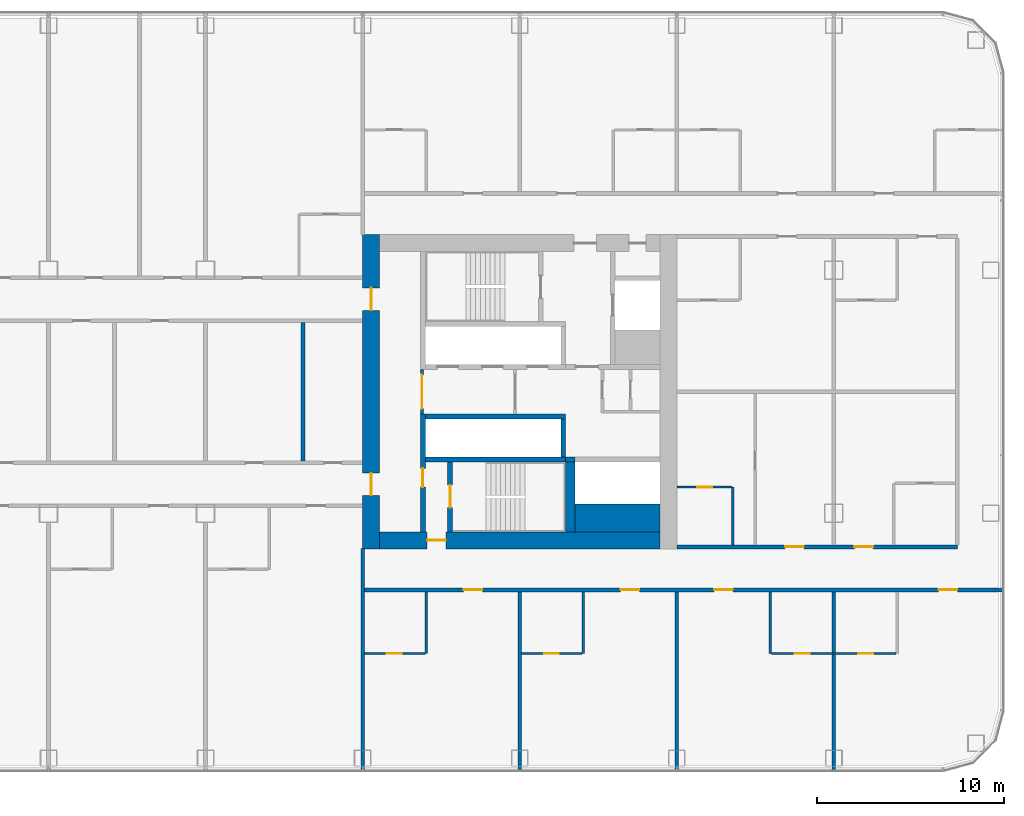
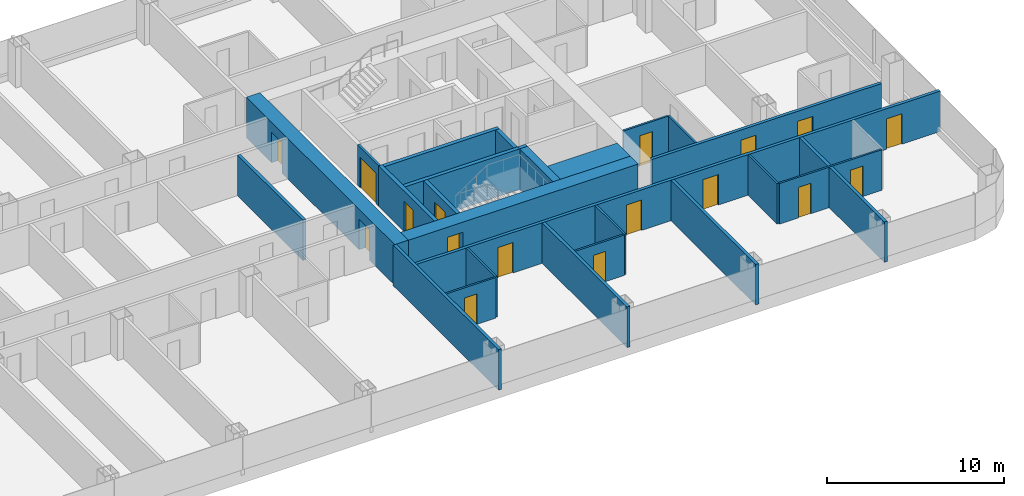
# One storey, part 17 of 28: 26 walls, 17 doors, 17 openings.
"""IFC4 building model written with IfcOpenShell, lengths in metres."""

from ifc_helpers import new_model, si_unit, direction, frame, frame_2d, origin, place, context, subcontext, project, spatial, rectangle, extrude, material, layer, layer_set, type_object, element, fill, save


model = new_model("IFC4")

# Units and contexts
model_context = context("Model", 3, precision=1e-05, world=origin(), true_north=direction((0.0, 1.0)))
body_context = subcontext(model_context, "Body", "Model", "MODEL_VIEW")
ifc_project = project(units=[si_unit("LENGTHUNIT", "METRE"), si_unit("AREAUNIT", "SQUARE_METRE"), si_unit("VOLUMEUNIT", "CUBIC_METRE"), si_unit("PLANEANGLEUNIT", "RADIAN"), si_unit("MASSUNIT", "GRAM", prefix="KILO")], contexts=[model_context])

# Site, building, storey
site_placement = place(None, origin())
site = spatial("IfcSite", under=ifc_project, at=site_placement, CompositionType="ELEMENT")
building_placement = place(site_placement, origin())
building = spatial("IfcBuilding", under=site, at=building_placement, Name="Hakoniwa Tower and Hamabe Station Hall", CompositionType="ELEMENT")
storey_placement = place(building_placement, frame((0.0, 0.0, 35.800048828125)))
storey = spatial("IfcBuildingStorey", under=building, at=storey_placement, Name="L09", CompositionType="ELEMENT", Elevation=35.800048828125)

# Wall, opening, door
ifc_material_1 = material(Name="Gypsum board partition", Category="gypsum")
ifc_layer_1 = layer(ifc_material_1, 0.125)
ifc_layer_set_1 = layer_set([ifc_layer_1], Name="Bathroom Partition 125")
wall_type_1 = type_object("IfcWallType", Name="Bathroom Partition 125", PredefinedType="PARTITIONING", material=ifc_layer_set_1)
wall_1_placement = place(storey_placement, frame((16.89990234375, -14.0, 0.0), z_axis=(0.0, 0.0, 1.0), x_axis=(1.0, 0.0, 0.0)))
wall_1 = element("IfcWall", 1, at=wall_1_placement, inside=storey, type_object=wall_type_1, Name="GW-L09-004", PredefinedType="PARTITIONING", context=body_context, shape_type="SweptSolid", body=[
    extrude(rectangle(XDim=3.237548828125, YDim=0.125, at=frame_2d((1.61865234375, 0.0))), origin(), (0.0, 0.0, 1.0), 2.800048828125),
])
opening_1_placement = place(wall_1_placement, frame((1.199951171875, 0.0, 0.0)))
opening_1 = element("IfcOpeningElement", 2, at=opening_1_placement, cuts=wall_1, Name="Opening GD-G1A1-04", PredefinedType="OPENING", context=body_context, shape_type="SweptSolid", body=[
    extrude(rectangle(XDim=0.800048828125, YDim=2.10009765625, at=frame_2d((0.39990234375, 1.050048828125))), frame((0.0, 0.072509765625, 0.0), z_axis=(0.0, -1.0, 0.0), x_axis=(1.0, 0.0, 0.0)), (0.0, 0.0, 1.0), 0.14501953125),
])
ifc_material_2 = material(Name="Timber door leaf", Category="wood")
door_type_1 = type_object("IfcDoorType", Name="Bathroom Door 800", OperationType="SINGLE_SWING_LEFT", PredefinedType="DOOR", material=ifc_material_2)
door_1_placement = place(opening_1_placement, origin())
door_1 = element("IfcDoor", 3, at=door_1_placement, inside=storey, type_object=door_type_1, Name="Door GD-G1A1-04", OperationType="SINGLE_SWING_RIGHT", OverallHeight=2.10009765625, OverallWidth=0.800048828125, PredefinedType="DOOR", context=body_context, shape_type="SweptSolid", body=[
    extrude(rectangle(XDim=0.800048828125, YDim=2.10009765625, at=frame_2d((0.39990234375, 1.050048828125))), frame((0.0, 0.02490234375, 0.0), z_axis=(0.0, -1.0, 0.0), x_axis=(1.0, 0.0, 0.0)), (0.0, 0.0, 1.0), 0.050048828125),
])
fill(opening_1, door_1)

wall_2_placement = place(storey_placement, frame((25.300048828125, -14.0, 0.0), z_axis=(0.0, 0.0, 1.0), x_axis=(1.0, 0.0, 0.0)))
wall_2 = element("IfcWall", 4, at=wall_2_placement, inside=storey, type_object=wall_type_1, Name="GW-L09-005", PredefinedType="PARTITIONING", context=body_context, shape_type="SweptSolid", body=[
    extrude(rectangle(XDim=3.237548828125, YDim=0.125, at=frame_2d((1.61865234375, 0.0))), origin(), (0.0, 0.0, 1.0), 2.800048828125),
])
opening_2_placement = place(wall_2_placement, frame((1.199951171875, 0.0, 0.0)))
opening_2 = element("IfcOpeningElement", 5, at=opening_2_placement, cuts=wall_2, Name="Opening GD-G1A1-05", PredefinedType="OPENING", context=body_context, shape_type="SweptSolid", body=[
    extrude(rectangle(XDim=0.800048828125, YDim=2.10009765625, at=frame_2d((0.39990234375, 1.050048828125))), frame((0.0, 0.072509765625, 0.0), z_axis=(0.0, -1.0, 0.0), x_axis=(1.0, 0.0, 0.0)), (0.0, 0.0, 1.0), 0.14501953125),
])
door_2_placement = place(opening_2_placement, origin())
door_2 = element("IfcDoor", 6, at=door_2_placement, inside=storey, type_object=door_type_1, Name="Door GD-G1A1-05", OperationType="SINGLE_SWING_LEFT", OverallHeight=2.10009765625, OverallWidth=0.800048828125, PredefinedType="DOOR", context=body_context, shape_type="SweptSolid", body=[
    extrude(rectangle(XDim=0.800048828125, YDim=2.10009765625, at=frame_2d((0.39990234375, 1.050048828125))), frame((0.0, 0.02490234375, 0.0), z_axis=(0.0, -1.0, 0.0), x_axis=(1.0, 0.0, 0.0)), (0.0, 0.0, 1.0), 0.050048828125),
])
fill(opening_2, door_2)

# Wall, openings, doors
wall_3_placement = place(storey_placement, frame((38.66259765625, -14.0, 0.0), z_axis=(0.0, 0.0, 1.0), x_axis=(1.0, 0.0, 0.0)))
wall_3 = element("IfcWall", 7, at=wall_3_placement, inside=storey, type_object=wall_type_1, Name="GW-L09-006", PredefinedType="PARTITIONING", context=body_context, shape_type="SweptSolid", body=[
    extrude(rectangle(XDim=6.6748046875, YDim=0.125, at=frame_2d((3.33740234375, 0.0))), origin(), (0.0, 0.0, 1.0), 2.800048828125),
])
opening_3_placement = place(wall_3_placement, frame((1.237548828125, 0.0, 0.0)))
opening_3 = element("IfcOpeningElement", 8, at=opening_3_placement, cuts=wall_3, Name="Opening GD-G1A1-06", PredefinedType="OPENING", context=body_context, shape_type="SweptSolid", body=[
    extrude(rectangle(XDim=0.800048828125, YDim=2.10009765625, at=frame_2d((0.39990234375, 1.050048828125))), frame((0.0, 0.072509765625, 0.0), z_axis=(0.0, -1.0, 0.0), x_axis=(1.0, 0.0, 0.0)), (0.0, 0.0, 1.0), 0.14501953125),
])
opening_4_placement = place(wall_3_placement, frame((4.637451171875, 0.0, 0.0)))
opening_4 = element("IfcOpeningElement", 9, at=opening_4_placement, cuts=wall_3, Name="Opening GD-G1A1-07", PredefinedType="OPENING", context=body_context, shape_type="SweptSolid", body=[
    extrude(rectangle(XDim=0.800048828125, YDim=2.10009765625, at=frame_2d((0.39990234375, 1.050048828125))), frame((0.0, 0.072509765625, 0.0), z_axis=(0.0, -1.0, 0.0), x_axis=(1.0, 0.0, 0.0)), (0.0, 0.0, 1.0), 0.14501953125),
])
door_3_placement = place(opening_3_placement, origin())
door_3 = element("IfcDoor", 10, at=door_3_placement, inside=storey, type_object=door_type_1, Name="Door GD-G1A1-06", OperationType="SINGLE_SWING_RIGHT", OverallHeight=2.10009765625, OverallWidth=0.800048828125, PredefinedType="DOOR", context=body_context, shape_type="SweptSolid", body=[
    extrude(rectangle(XDim=0.800048828125, YDim=2.10009765625, at=frame_2d((0.39990234375, 1.050048828125))), frame((0.0, 0.02490234375, 0.0), z_axis=(0.0, -1.0, 0.0), x_axis=(1.0, 0.0, 0.0)), (0.0, 0.0, 1.0), 0.050048828125),
])
fill(opening_3, door_3)
door_4_placement = place(opening_4_placement, origin())
door_4 = element("IfcDoor", 11, at=door_4_placement, inside=storey, type_object=door_type_1, Name="Door GD-G1A1-07", OperationType="SINGLE_SWING_LEFT", OverallHeight=2.10009765625, OverallWidth=0.800048828125, PredefinedType="DOOR", context=body_context, shape_type="SweptSolid", body=[
    extrude(rectangle(XDim=0.800048828125, YDim=2.10009765625, at=frame_2d((0.39990234375, 1.050048828125))), frame((0.0, 0.02490234375, 0.0), z_axis=(0.0, -1.0, 0.0), x_axis=(1.0, 0.0, 0.0)), (0.0, 0.0, 1.0), 0.050048828125),
])
fill(opening_4, door_4)

# Wall, opening, door
wall_4_placement = place(storey_placement, frame((33.60009765625, -5.10009765625, 0.0), z_axis=(0.0, 0.0, 1.0), x_axis=(1.0, 0.0, 0.0)))
wall_4 = element("IfcWall", 12, at=wall_4_placement, inside=storey, type_object=wall_type_1, Name="GW-L09-016", PredefinedType="PARTITIONING", context=body_context, shape_type="SweptSolid", body=[
    extrude(rectangle(XDim=2.9375, YDim=0.125, at=frame_2d((1.46875, 0.0))), origin(), (0.0, 0.0, 1.0), 2.800048828125),
])
opening_5_placement = place(wall_4_placement, frame((1.10009765625, 0.0, 0.0)))
opening_5 = element("IfcOpeningElement", 13, at=opening_5_placement, cuts=wall_4, Name="Opening GD-G1A1-29", PredefinedType="OPENING", context=body_context, shape_type="SweptSolid", body=[
    extrude(rectangle(XDim=0.800048828125, YDim=2.10009765625, at=frame_2d((0.39990234375, 1.050048828125))), frame((0.0, 0.072509765625, 0.0), z_axis=(0.0, -1.0, 0.0), x_axis=(1.0, 0.0, 0.0)), (0.0, 0.0, 1.0), 0.14501953125),
])
door_5_placement = place(opening_5_placement, origin())
door_5 = element("IfcDoor", 14, at=door_5_placement, inside=storey, type_object=door_type_1, Name="Door GD-G1A1-29", OperationType="SINGLE_SWING_RIGHT", OverallHeight=2.10009765625, OverallWidth=0.800048828125, PredefinedType="DOOR", context=body_context, shape_type="SweptSolid", body=[
    extrude(rectangle(XDim=0.800048828125, YDim=2.10009765625, at=frame_2d((0.39990234375, 1.050048828125))), frame((0.0, 0.02490234375, 0.0), z_axis=(0.0, -1.0, 0.0), x_axis=(1.0, 0.0, 0.0)), (0.0, 0.0, 1.0), 0.050048828125),
])
fill(opening_5, door_5)

# Walls
for number, where, z_axis, x_axis, name in (
    (15, (20.199951171875, -14.0, 0.0), (0.0, 0.0, 1.0), (0.0, 1.0, 0.0), "GW-L09-086"),
    (16, (28.60009765625, -14.0, 0.0), (0.0, 0.0, 1.0), (0.0, 1.0, 0.0), "GW-L09-090"),
):
    element("IfcWall", number, at=place(storey_placement, frame(where, z_axis=z_axis, x_axis=x_axis)), inside=storey, type_object=wall_type_1, Name=name, PredefinedType="PARTITIONING", context=body_context, shape_type="SweptSolid", body=[
        extrude(rectangle(XDim=3.300048828125, YDim=0.125, at=frame_2d((1.64990234375, 0.0))), origin(), (0.0, 0.0, 1.0), 2.800048828125),
    ])
wall_5_placement = place(storey_placement, frame((36.60009765625, -8.199951171875, 0.0), z_axis=(0.0, 0.0, 1.0), x_axis=(0.0, 1.0, 0.0)))
element("IfcWall", 17, at=wall_5_placement, inside=storey, type_object=wall_type_1, Name="GW-L09-094", PredefinedType="PARTITIONING", context=body_context, shape_type="SweptSolid", body=[
    extrude(rectangle(XDim=3.099853515625, YDim=0.125, at=frame_2d((1.5498046875, 0.0))), origin(), (0.0, 0.0, 1.0), 2.800048828125),
])
wall_6_placement = place(storey_placement, frame((38.60009765625, -14.0, 0.0), z_axis=(0.0, 0.0, 1.0), x_axis=(0.0, 1.0, 0.0)))
element("IfcWall", 18, at=wall_6_placement, inside=storey, type_object=wall_type_1, Name="GW-L09-098", PredefinedType="PARTITIONING", context=body_context, shape_type="SweptSolid", body=[
    extrude(rectangle(XDim=3.300048828125, YDim=0.125, at=frame_2d((1.64990234375, 0.0))), origin(), (0.0, 0.0, 1.0), 2.800048828125),
])

# Wall, opening, door
ifc_material_3 = material(Name="Gypsum board partition")
ifc_layer_2 = layer(ifc_material_3, 0.14990234375)
ifc_layer_set_2 = layer_set([ifc_layer_2], Name="CORE PARTITION 150 EI 60")
wall_type_2 = type_object("IfcWallType", Name="CORE PARTITION 150 EI 60", PredefinedType="PARTITIONING", material=ifc_layer_set_2)
wall_7_placement = place(storey_placement, frame((19.97509765625, -1.199951171875, 0.0), z_axis=(0.0, 0.0, 1.0), x_axis=(0.0, 1.0, 0.0)))
wall_7 = element("IfcWall", 19, at=wall_7_placement, inside=storey, type_object=wall_type_2, Name="Core partition PL0 east", PredefinedType="PARTITIONING", context=body_context, shape_type="SweptSolid", body=[
    extrude(rectangle(XDim=2.39990234375, YDim=0.14990234375, at=frame_2d((1.199951171875, 0.0))), origin(), (0.0, 0.0, 1.0), 2.800048828125),
])
opening_6_placement = place(wall_7_placement, frame((0.300048828125, 0.0, 0.0)))
opening_6 = element("IfcOpeningElement", 20, at=opening_6_placement, cuts=wall_7, Name="Opening CD-E-LP0-18", PredefinedType="OPENING", context=body_context, shape_type="SweptSolid", body=[
    extrude(rectangle(XDim=1.800048828125, YDim=2.10009765625, at=frame_2d((0.89990234375, 1.050048828125))), frame((0.0, 0.0849609375, 0.0), z_axis=(0.0, -1.0, 0.0), x_axis=(1.0, 0.0, 0.0)), (0.0, 0.0, 1.0), 0.169921875),
])
ifc_material_4 = material(Name="Steel fire door", Category="steel")
door_type_2 = type_object("IfcDoorType", Name="CORE DOOR 1800 FD60", OperationType="DOUBLE_DOOR_SINGLE_SWING", PredefinedType="DOOR", material=ifc_material_4)
door_6_placement = place(opening_6_placement, origin())
door_6 = element("IfcDoor", 21, at=door_6_placement, inside=storey, type_object=door_type_2, Name="Lift lobby partition door", OperationType="DOUBLE_DOOR_SINGLE_SWING", OverallHeight=2.10009765625, OverallWidth=1.800048828125, PredefinedType="DOOR", context=body_context, shape_type="SweptSolid", body=[
    extrude(rectangle(XDim=1.800048828125, YDim=2.10009765625, at=frame_2d((0.89990234375, 1.050048828125))), frame((0.0, 0.02490234375, 0.0), z_axis=(0.0, -1.0, 0.0), x_axis=(1.0, 0.0, 0.0)), (0.0, 0.0, 1.0), 0.050048828125),
])
fill(opening_6, door_6)

# Wall, openings, doors
ifc_material_5 = material(Name="Concrete C80", Category="concrete")
ifc_layer_3 = layer(ifc_material_5, 0.89990234375)
ifc_layer_set_3 = layer_set([ifc_layer_3], Name="CORE WALL 900 C80")
wall_type_3 = type_object("IfcWallType", Name="CORE WALL 900 C80", PredefinedType="SHEAR", material=ifc_layer_set_3)
wall_8_placement = place(storey_placement, frame((17.25, -8.39990234375, 0.0), z_axis=(0.0, 0.0, 1.0), x_axis=(0.0, 1.0, 0.0)))
wall_8 = element("IfcWall", 22, at=wall_8_placement, inside=storey, type_object=wall_type_3, Name="Core wall INNER east", PredefinedType="SHEAR", context=body_context, shape_type="SweptSolid", body=[
    extrude(rectangle(XDim=16.7998046875, YDim=0.89990234375, at=frame_2d((8.39990234375, 0.0))), origin(), (0.0, 0.0, 1.0), 2.800048828125),
])
opening_7_placement = place(wall_8_placement, frame((12.75, 0.0, 0.0)))
opening_7 = element("IfcOpeningElement", 23, at=opening_7_placement, cuts=wall_8, Name="Opening CD-E-IN1-12", PredefinedType="OPENING", context=body_context, shape_type="SweptSolid", body=[
    extrude(rectangle(XDim=1.199951171875, YDim=2.10009765625, at=frame_2d((0.60009765625, 1.050048828125))), frame((0.0, 0.4599609375, 0.0), z_axis=(0.0, -1.0, 0.0), x_axis=(1.0, 0.0, 0.0)), (0.0, 0.0, 1.0), 0.919921875),
])
opening_8_placement = place(wall_8_placement, frame((2.85009765625, 0.0, 0.0)))
opening_8 = element("IfcOpeningElement", 24, at=opening_8_placement, cuts=wall_8, Name="Opening CD-E-IN2-12", PredefinedType="OPENING", context=body_context, shape_type="SweptSolid", body=[
    extrude(rectangle(XDim=1.199951171875, YDim=2.10009765625, at=frame_2d((0.60009765625, 1.050048828125))), frame((0.0, 0.4599609375, 0.0), z_axis=(0.0, -1.0, 0.0), x_axis=(1.0, 0.0, 0.0)), (0.0, 0.0, 1.0), 0.919921875),
])
ifc_material_6 = material(Name="Steel fire door", Category="steel")
door_type_3 = type_object("IfcDoorType", Name="CORE DOOR 1200 FD60", OperationType="DOUBLE_DOOR_SINGLE_SWING", PredefinedType="DOOR", material=ifc_material_6)
door_7_placement = place(opening_7_placement, origin())
door_7 = element("IfcDoor", 25, at=door_7_placement, inside=storey, type_object=door_type_3, Name="Lift lobby door", OperationType="DOUBLE_DOOR_SINGLE_SWING", OverallHeight=2.10009765625, OverallWidth=1.199951171875, PredefinedType="DOOR", context=body_context, shape_type="SweptSolid", body=[
    extrude(rectangle(XDim=1.199951171875, YDim=2.10009765625, at=frame_2d((0.60009765625, 1.050048828125))), frame((0.0, 0.02490234375, 0.0), z_axis=(0.0, -1.0, 0.0), x_axis=(1.0, 0.0, 0.0)), (0.0, 0.0, 1.0), 0.050048828125),
])
fill(opening_7, door_7)
door_8_placement = place(opening_8_placement, origin())
door_8 = element("IfcDoor", 26, at=door_8_placement, inside=storey, type_object=door_type_3, Name="Lift lobby door", OperationType="DOUBLE_DOOR_SINGLE_SWING", OverallHeight=2.10009765625, OverallWidth=1.199951171875, PredefinedType="DOOR", context=body_context, shape_type="SweptSolid", body=[
    extrude(rectangle(XDim=1.199951171875, YDim=2.10009765625, at=frame_2d((0.60009765625, 1.050048828125))), frame((0.0, 0.02490234375, 0.0), z_axis=(0.0, -1.0, 0.0), x_axis=(1.0, 0.0, 0.0)), (0.0, 0.0, 1.0), 0.050048828125),
])
fill(opening_8, door_8)

# Wall, opening, door
wall_9_placement = place(storey_placement, frame((17.699951171875, -7.949951171875, 0.0), z_axis=(0.0, 0.0, 1.0), x_axis=(1.0, 0.0, 0.0)))
wall_9 = element("IfcWall", 27, at=wall_9_placement, inside=storey, type_object=wall_type_3, Name="Core wall SOUTH east", PredefinedType="SHEAR", context=body_context, shape_type="SweptSolid", body=[
    extrude(rectangle(XDim=15.0, YDim=0.89990234375, at=frame_2d((7.5, 0.0))), origin(), (0.0, 0.0, 1.0), 2.800048828125),
])
opening_9_placement = place(wall_9_placement, frame((2.550048828125, 0.0, 0.0)))
opening_9 = element("IfcOpeningElement", 28, at=opening_9_placement, cuts=wall_9, Name="Opening CD-E-FS3-10", PredefinedType="OPENING", context=body_context, shape_type="SweptSolid", body=[
    extrude(rectangle(XDim=1.0, YDim=2.10009765625, at=frame_2d((0.5, 1.050048828125))), frame((0.0, 0.4599609375, 0.0), z_axis=(0.0, -1.0, 0.0), x_axis=(1.0, 0.0, 0.0)), (0.0, 0.0, 1.0), 0.919921875),
])
ifc_material_7 = material(Name="Steel fire door", Category="steel")
door_type_4 = type_object("IfcDoorType", Name="CORE DOOR 1000 FD60", OperationType="NOTDEFINED", PredefinedType="DOOR", material=ifc_material_7)
door_9_placement = place(opening_9_placement, origin())
door_9 = element("IfcDoor", 29, at=door_9_placement, inside=storey, type_object=door_type_4, Name="Stair vestibule door", OperationType="SINGLE_SWING_RIGHT", OverallHeight=2.10009765625, OverallWidth=1.0, PredefinedType="DOOR", context=body_context, shape_type="SweptSolid", body=[
    extrude(rectangle(XDim=1.0, YDim=2.10009765625, at=frame_2d((0.5, 1.050048828125))), frame((0.0, 0.02490234375, 0.0), z_axis=(0.0, -1.0, 0.0), x_axis=(1.0, 0.0, 0.0)), (0.0, 0.0, 1.0), 0.050048828125),
])
fill(opening_9, door_9)

# Wall
ifc_material_8 = material(Name="Concrete C80", Category="concrete")
ifc_layer_4 = layer(ifc_material_8, 1.5)
ifc_layer_set_4 = layer_set([ifc_layer_4], Name="CORE WEB WALL 1500 C80")
wall_type_4 = type_object("IfcWallType", Name="CORE WEB WALL 1500 C80", PredefinedType="SHEAR", material=ifc_layer_set_4)
wall_10_placement = place(storey_placement, frame((28.14990234375, -6.75, 0.0), z_axis=(0.0, 0.0, 1.0), x_axis=(1.0, 0.0, 0.0)))
element("IfcWall", 30, at=wall_10_placement, inside=storey, type_object=wall_type_4, Name="Core wall SER east", PredefinedType="SHEAR", context=body_context, shape_type="SweptSolid", body=[
    extrude(rectangle(XDim=4.550048828125, YDim=1.5, at=frame_2d((2.27490234375, 0.0))), origin(), (0.0, 0.0, 1.0), 2.800048828125),
])

# Wall, opening, door
ifc_material_9 = material(Name="Concrete C80", Category="concrete")
ifc_layer_5 = layer(ifc_material_9, 0.25)
ifc_layer_set_5 = layer_set([ifc_layer_5], Name="CORE WEB WALL 250 C80")
wall_type_5 = type_object("IfcWallType", Name="CORE WEB WALL 250 C80", PredefinedType="SHEAR", material=ifc_layer_set_5)
wall_11_placement = place(storey_placement, frame((20.02490234375, -7.5, 0.0), z_axis=(0.0, 0.0, 1.0), x_axis=(0.0, 1.0, 0.0)))
wall_11 = element("IfcWall", 31, at=wall_11_placement, inside=storey, type_object=wall_type_5, Name="Core wall W1S east", PredefinedType="SHEAR", context=body_context, shape_type="SweptSolid", body=[
    extrude(rectangle(XDim=6.300048828125, YDim=0.25, at=frame_2d((3.14990234375, 0.0))), origin(), (0.0, 0.0, 1.0), 2.800048828125),
])
opening_10_placement = place(wall_11_placement, frame((2.39990234375, 0.0, 0.0)))
opening_10 = element("IfcOpeningElement", 32, at=opening_10_placement, cuts=wall_11, Name="Opening CD-E-VS-10", PredefinedType="OPENING", context=body_context, shape_type="SweptSolid", body=[
    extrude(rectangle(XDim=1.0, YDim=2.10009765625, at=frame_2d((0.5, 1.050048828125))), frame((0.0, 0.135009765625, 0.0), z_axis=(0.0, -1.0, 0.0), x_axis=(1.0, 0.0, 0.0)), (0.0, 0.0, 1.0), 0.27001953125),
])
door_10_placement = place(opening_10_placement, origin())
door_10 = element("IfcDoor", 33, at=door_10_placement, inside=storey, type_object=door_type_4, Name="Stair vestibule door", OperationType="SINGLE_SWING_RIGHT", OverallHeight=2.10009765625, OverallWidth=1.0, PredefinedType="DOOR", context=body_context, shape_type="SweptSolid", body=[
    extrude(rectangle(XDim=1.0, YDim=2.10009765625, at=frame_2d((0.5, 1.050048828125))), frame((0.0, 0.02490234375, 0.0), z_axis=(0.0, -1.0, 0.0), x_axis=(1.0, 0.0, 0.0)), (0.0, 0.0, 1.0), 0.050048828125),
])
fill(opening_10, door_10)

# Walls
wall_12_placement = place(storey_placement, frame((20.14990234375, -1.324951171875, 0.0), z_axis=(0.0, 0.0, 1.0), x_axis=(1.0, 0.0, 0.0)))
element("IfcWall", 34, at=wall_12_placement, inside=storey, type_object=wall_type_5, Name="Core wall SF east", PredefinedType="SHEAR", context=body_context, shape_type="SweptSolid", body=[
    extrude(rectangle(XDim=7.5, YDim=0.25, at=frame_2d((3.75, 0.0))), origin(), (0.0, 0.0, 1.0), 2.800048828125),
])
wall_13_placement = place(storey_placement, frame((27.52490234375, -3.5, 0.0), z_axis=(0.0, 0.0, 1.0), x_axis=(0.0, 1.0, 0.0)))
element("IfcWall", 35, at=wall_13_placement, inside=storey, type_object=wall_type_5, Name="Core wall SE east", PredefinedType="SHEAR", context=body_context, shape_type="SweptSolid", body=[
    extrude(rectangle(XDim=2.050048828125, YDim=0.25, at=frame_2d((1.02490234375, 0.0))), origin(), (0.0, 0.0, 1.0), 2.800048828125),
])
wall_14_placement = place(storey_placement, frame((20.14990234375, -3.625, 0.0), z_axis=(0.0, 0.0, 1.0), x_axis=(1.0, 0.0, 0.0)))
element("IfcWall", 36, at=wall_14_placement, inside=storey, type_object=wall_type_5, Name="Core wall SR east", PredefinedType="SHEAR", context=body_context, shape_type="SweptSolid", body=[
    extrude(rectangle(XDim=7.5, YDim=0.25, at=frame_2d((3.75, 0.0))), origin(), (0.0, 0.0, 1.0), 2.800048828125),
])

# Wall, opening, door
wall_15_placement = place(storey_placement, frame((21.47509765625, -7.5, 0.0), z_axis=(0.0, 0.0, 1.0), x_axis=(0.0, 1.0, 0.0)))
wall_15 = element("IfcWall", 37, at=wall_15_placement, inside=storey, type_object=wall_type_5, Name="Core wall VE east", PredefinedType="SHEAR", context=body_context, shape_type="SweptSolid", body=[
    extrude(rectangle(XDim=3.75, YDim=0.25, at=frame_2d((1.875, 0.0))), origin(), (0.0, 0.0, 1.0), 2.800048828125),
])
opening_11_placement = place(wall_15_placement, frame((1.300048828125, 0.0, 0.0)))
opening_11 = element("IfcOpeningElement", 38, at=opening_11_placement, cuts=wall_15, Name="Opening CD-E-SS-12", PredefinedType="OPENING", context=body_context, shape_type="SweptSolid", body=[
    extrude(rectangle(XDim=1.199951171875, YDim=2.10009765625, at=frame_2d((0.60009765625, 1.050048828125))), frame((0.0, 0.135009765625, 0.0), z_axis=(0.0, -1.0, 0.0), x_axis=(1.0, 0.0, 0.0)), (0.0, 0.0, 1.0), 0.27001953125),
])
door_11_placement = place(opening_11_placement, origin())
door_11 = element("IfcDoor", 39, at=door_11_placement, inside=storey, type_object=door_type_3, Name="Escape stair door", OperationType="DOUBLE_DOOR_SINGLE_SWING", OverallHeight=2.10009765625, OverallWidth=1.199951171875, PredefinedType="DOOR", context=body_context, shape_type="SweptSolid", body=[
    extrude(rectangle(XDim=1.199951171875, YDim=2.10009765625, at=frame_2d((0.60009765625, 1.050048828125))), frame((0.0, 0.02490234375, 0.0), z_axis=(0.0, -1.0, 0.0), x_axis=(1.0, 0.0, 0.0)), (0.0, 0.0, 1.0), 0.050048828125),
])
fill(opening_11, door_11)

# Walls
wall_16_placement = place(storey_placement, frame((27.64990234375, -3.625, 0.0), z_axis=(0.0, 0.0, 1.0), x_axis=(1.0, 0.0, 0.0)))
element("IfcWall", 40, at=wall_16_placement, inside=storey, type_object=wall_type_5, Name="Core wall SRK east", PredefinedType="SHEAR", context=body_context, shape_type="SweptSolid", body=[
    extrude(rectangle(XDim=0.5, YDim=0.25, at=frame_2d((0.25, 0.0))), origin(), (0.0, 0.0, 1.0), 2.800048828125),
])
ifc_material_10 = material(Name="Concrete C80", Category="concrete")
ifc_layer_6 = layer(ifc_material_10, 0.5)
ifc_layer_set_6 = layer_set([ifc_layer_6], Name="CORE WEB WALL 500 C80")
wall_type_6 = type_object("IfcWallType", Name="CORE WEB WALL 500 C80", PredefinedType="SHEAR", material=ifc_layer_set_6)
wall_17_placement = place(storey_placement, frame((27.89990234375, -7.5, 0.0), z_axis=(0.0, 0.0, 1.0), x_axis=(0.0, 1.0, 0.0)))
element("IfcWall", 41, at=wall_17_placement, inside=storey, type_object=wall_type_6, Name="Core wall SSE east", PredefinedType="SHEAR", context=body_context, shape_type="SweptSolid", body=[
    extrude(rectangle(XDim=3.75, YDim=0.5, at=frame_2d((1.875, 0.0))), origin(), (0.0, 0.0, 1.0), 2.800048828125),
])

# Wall, openings, doors
ifc_material_11 = material(Name="Fire-rated gypsum board partition", Category="gypsum")
ifc_layer_7 = layer(ifc_material_11, 0.199951171875)
ifc_layer_set_7 = layer_set([ifc_layer_7], Name="Corridor Wall 200")
wall_type_7 = type_object("IfcWallType", Name="Corridor Wall 200", PredefinedType="PARTITIONING", material=ifc_layer_set_7)
wall_18_placement = place(storey_placement, frame((16.800048828125, -10.60009765625, 0.0), z_axis=(0.0, 0.0, 1.0), x_axis=(1.0, 0.0, 0.0)))
wall_18 = element("IfcWall", 42, at=wall_18_placement, inside=storey, type_object=wall_type_7, Name="GW-L09-008", PredefinedType="PARTITIONING", context=body_context, shape_type="SweptSolid", body=[
    extrude(rectangle(XDim=34.300048828125, YDim=0.199951171875, at=frame_2d((17.14990234375, 0.0))), origin(), (0.0, 0.0, 1.0), 2.800048828125),
])
opening_12_placement = place(wall_18_placement, frame((5.39990234375, 0.0, 0.0)))
opening_12 = element("IfcOpeningElement", 43, at=opening_12_placement, cuts=wall_18, Name="Opening GD-G1A1-12", PredefinedType="OPENING", context=body_context, shape_type="SweptSolid", body=[
    extrude(rectangle(XDim=1.0, YDim=2.10009765625, at=frame_2d((0.5, 1.050048828125))), frame((0.0, 0.10986328125, 0.0), z_axis=(0.0, -1.0, 0.0), x_axis=(1.0, 0.0, 0.0)), (0.0, 0.0, 1.0), 0.219970703125),
])
opening_13_placement = place(wall_18_placement, frame((13.800048828125, 0.0, 0.0)))
opening_13 = element("IfcOpeningElement", 44, at=opening_13_placement, cuts=wall_18, Name="Opening GD-G1A1-13", PredefinedType="OPENING", context=body_context, shape_type="SweptSolid", body=[
    extrude(rectangle(XDim=1.0, YDim=2.10009765625, at=frame_2d((0.5, 1.050048828125))), frame((0.0, 0.10986328125, 0.0), z_axis=(0.0, -1.0, 0.0), x_axis=(1.0, 0.0, 0.0)), (0.0, 0.0, 1.0), 0.219970703125),
])
opening_14_placement = place(wall_18_placement, frame((18.800048828125, 0.0, 0.0)))
opening_14 = element("IfcOpeningElement", 45, at=opening_14_placement, cuts=wall_18, Name="Opening GD-G1A1-14", PredefinedType="OPENING", context=body_context, shape_type="SweptSolid", body=[
    extrude(rectangle(XDim=1.0, YDim=2.10009765625, at=frame_2d((0.5, 1.050048828125))), frame((0.0, 0.10986328125, 0.0), z_axis=(0.0, -1.0, 0.0), x_axis=(1.0, 0.0, 0.0)), (0.0, 0.0, 1.0), 0.219970703125),
])
opening_15_placement = place(wall_18_placement, frame((30.800048828125, 0.0, 0.0)))
opening_15 = element("IfcOpeningElement", 46, at=opening_15_placement, cuts=wall_18, Name="Opening GD-G1A1-15", PredefinedType="OPENING", context=body_context, shape_type="SweptSolid", body=[
    extrude(rectangle(XDim=1.0, YDim=2.10009765625, at=frame_2d((0.5, 1.050048828125))), frame((0.0, 0.10986328125, 0.0), z_axis=(0.0, -1.0, 0.0), x_axis=(1.0, 0.0, 0.0)), (0.0, 0.0, 1.0), 0.219970703125),
])
ifc_material_12 = material(Name="Timber door leaf", Category="wood")
door_type_5 = type_object("IfcDoorType", Name="Guest Entrance Door 1000", OperationType="SINGLE_SWING_LEFT", PredefinedType="DOOR", material=ifc_material_12)
door_12_placement = place(opening_12_placement, origin())
door_12 = element("IfcDoor", 47, at=door_12_placement, inside=storey, type_object=door_type_5, Name="Door GD-G1A1-12", OperationType="SINGLE_SWING_RIGHT", OverallHeight=2.10009765625, OverallWidth=1.0, PredefinedType="DOOR", context=body_context, shape_type="SweptSolid", body=[
    extrude(rectangle(XDim=1.0, YDim=2.10009765625, at=frame_2d((0.5, 1.050048828125))), frame((0.0, 0.02490234375, 0.0), z_axis=(0.0, -1.0, 0.0), x_axis=(1.0, 0.0, 0.0)), (0.0, 0.0, 1.0), 0.050048828125),
])
fill(opening_12, door_12)
door_13_placement = place(opening_13_placement, origin())
door_13 = element("IfcDoor", 48, at=door_13_placement, inside=storey, type_object=door_type_5, Name="Door GD-G1A1-13", OperationType="SINGLE_SWING_LEFT", OverallHeight=2.10009765625, OverallWidth=1.0, PredefinedType="DOOR", context=body_context, shape_type="SweptSolid", body=[
    extrude(rectangle(XDim=1.0, YDim=2.10009765625, at=frame_2d((0.5, 1.050048828125))), frame((0.0, 0.02490234375, 0.0), z_axis=(0.0, -1.0, 0.0), x_axis=(1.0, 0.0, 0.0)), (0.0, 0.0, 1.0), 0.050048828125),
])
fill(opening_13, door_13)
door_14_placement = place(opening_14_placement, origin())
door_14 = element("IfcDoor", 49, at=door_14_placement, inside=storey, type_object=door_type_5, Name="Door GD-G1A1-14", OperationType="SINGLE_SWING_RIGHT", OverallHeight=2.10009765625, OverallWidth=1.0, PredefinedType="DOOR", context=body_context, shape_type="SweptSolid", body=[
    extrude(rectangle(XDim=1.0, YDim=2.10009765625, at=frame_2d((0.5, 1.050048828125))), frame((0.0, 0.02490234375, 0.0), z_axis=(0.0, -1.0, 0.0), x_axis=(1.0, 0.0, 0.0)), (0.0, 0.0, 1.0), 0.050048828125),
])
fill(opening_14, door_14)
door_15_placement = place(opening_15_placement, origin())
door_15 = element("IfcDoor", 50, at=door_15_placement, inside=storey, type_object=door_type_5, Name="Door GD-G1A1-15", OperationType="SINGLE_SWING_LEFT", OverallHeight=2.10009765625, OverallWidth=1.0, PredefinedType="DOOR", context=body_context, shape_type="SweptSolid", body=[
    extrude(rectangle(XDim=1.0, YDim=2.10009765625, at=frame_2d((0.5, 1.050048828125))), frame((0.0, 0.02490234375, 0.0), z_axis=(0.0, -1.0, 0.0), x_axis=(1.0, 0.0, 0.0)), (0.0, 0.0, 1.0), 0.050048828125),
])
fill(opening_15, door_15)

wall_19_placement = place(storey_placement, frame((33.60009765625, -8.300048828125, 0.0), z_axis=(0.0, 0.0, 1.0), x_axis=(1.0, 0.0, 0.0)))
wall_19 = element("IfcWall", 51, at=wall_19_placement, inside=storey, type_object=wall_type_7, Name="GW-L09-013", PredefinedType="PARTITIONING", context=body_context, shape_type="SweptSolid", body=[
    extrude(rectangle(XDim=15.0, YDim=0.199951171875, at=frame_2d((7.5, 0.0))), origin(), (0.0, 0.0, 1.0), 2.800048828125),
])
opening_16_placement = place(wall_19_placement, frame((5.800048828125, 0.0, 0.0)))
opening_16 = element("IfcOpeningElement", 52, at=opening_16_placement, cuts=wall_19, Name="Opening GD-G1A1-21", PredefinedType="OPENING", context=body_context, shape_type="SweptSolid", body=[
    extrude(rectangle(XDim=1.0, YDim=2.10009765625, at=frame_2d((0.5, 1.050048828125))), frame((0.0, 0.10986328125, 0.0), z_axis=(0.0, -1.0, 0.0), x_axis=(1.0, 0.0, 0.0)), (0.0, 0.0, 1.0), 0.219970703125),
])
opening_17_placement = place(wall_19_placement, frame((9.5, 0.0, 0.0)))
opening_17 = element("IfcOpeningElement", 53, at=opening_17_placement, cuts=wall_19, Name="Opening GD-G1A1-22", PredefinedType="OPENING", context=body_context, shape_type="SweptSolid", body=[
    extrude(rectangle(XDim=1.0, YDim=2.10009765625, at=frame_2d((0.5, 1.050048828125))), frame((0.0, 0.10986328125, 0.0), z_axis=(0.0, -1.0, 0.0), x_axis=(1.0, 0.0, 0.0)), (0.0, 0.0, 1.0), 0.219970703125),
])
door_16_placement = place(opening_16_placement, origin())
door_16 = element("IfcDoor", 54, at=door_16_placement, inside=storey, type_object=door_type_5, Name="Door GD-G1A1-21", OperationType="SINGLE_SWING_RIGHT", OverallHeight=2.10009765625, OverallWidth=1.0, PredefinedType="DOOR", context=body_context, shape_type="SweptSolid", body=[
    extrude(rectangle(XDim=1.0, YDim=2.10009765625, at=frame_2d((0.5, 1.050048828125))), frame((0.0, 0.02490234375, 0.0), z_axis=(0.0, -1.0, 0.0), x_axis=(1.0, 0.0, 0.0)), (0.0, 0.0, 1.0), 0.050048828125),
])
fill(opening_16, door_16)
door_17_placement = place(opening_17_placement, origin())
door_17 = element("IfcDoor", 55, at=door_17_placement, inside=storey, type_object=door_type_5, Name="Door GD-G1A1-22", OperationType="SINGLE_SWING_RIGHT", OverallHeight=2.10009765625, OverallWidth=1.0, PredefinedType="DOOR", context=body_context, shape_type="SweptSolid", body=[
    extrude(rectangle(XDim=1.0, YDim=2.10009765625, at=frame_2d((0.5, 1.050048828125))), frame((0.0, 0.02490234375, 0.0), z_axis=(0.0, -1.0, 0.0), x_axis=(1.0, 0.0, 0.0)), (0.0, 0.0, 1.0), 0.050048828125),
])
fill(opening_17, door_17)

# Walls
ifc_material_13 = material(Name="Fire-rated gypsum board partition", Category="gypsum")
ifc_layer_8 = layer(ifc_material_13, 0.199951171875)
ifc_layer_set_8 = layer_set([ifc_layer_8], Name="Party Wall 200")
wall_type_8 = type_object("IfcWallType", Name="Party Wall 200", PredefinedType="PARTITIONING", material=ifc_layer_set_8)
wall_20_placement = place(storey_placement, frame((13.610107421875, -3.699951171875, 0.0), z_axis=(0.0, 0.0, 1.0), x_axis=(0.0, 1.0, 0.0)))
element("IfcWall", 56, at=wall_20_placement, inside=storey, type_object=wall_type_8, Name="GW-L09-083", PredefinedType="PARTITIONING", context=body_context, shape_type="SweptSolid", body=[
    extrude(rectangle(XDim=7.39990234375, YDim=0.199951171875, at=frame_2d((3.699951171875, 0.0))), origin(), (0.0, 0.0, 1.0), 2.800048828125),
])
wall_21_placement = place(storey_placement, frame((16.800048828125, -20.300048828125, 0.0), z_axis=(0.0, 0.0, 1.0), x_axis=(0.0, 1.0, 0.0)))
element("IfcWall", 57, at=wall_21_placement, inside=storey, type_object=wall_type_8, Name="GW-L09-084", PredefinedType="PARTITIONING", context=body_context, shape_type="SweptSolid", body=[
    extrude(rectangle(XDim=11.91015625, YDim=0.199951171875, at=frame_2d((5.955078125, 0.0))), origin(), (0.0, 0.0, 1.0), 2.800048828125),
])
for number, where, z_axis, x_axis, name in (
    (58, (25.199951171875, -20.300048828125, 0.0), (0.0, 0.0, 1.0), (0.0, 1.0, 0.0), "GW-L09-088"),
    (59, (33.60009765625, -20.300048828125, 0.0), (0.0, 0.0, 1.0), (0.0, 1.0, 0.0), "GW-L09-092"),
    (60, (42.0, -20.300048828125, 0.0), (0.0, 0.0, 1.0), (0.0, 1.0, 0.0), "GW-L09-099"),
):
    element("IfcWall", number, at=place(storey_placement, frame(where, z_axis=z_axis, x_axis=x_axis)), inside=storey, type_object=wall_type_8, Name=name, PredefinedType="PARTITIONING", context=body_context, shape_type="SweptSolid", body=[
        extrude(rectangle(XDim=9.60009765625, YDim=0.199951171875, at=frame_2d((4.800048828125, 0.0))), origin(), (0.0, 0.0, 1.0), 2.800048828125),
    ])

save(model, "model.ifc")
